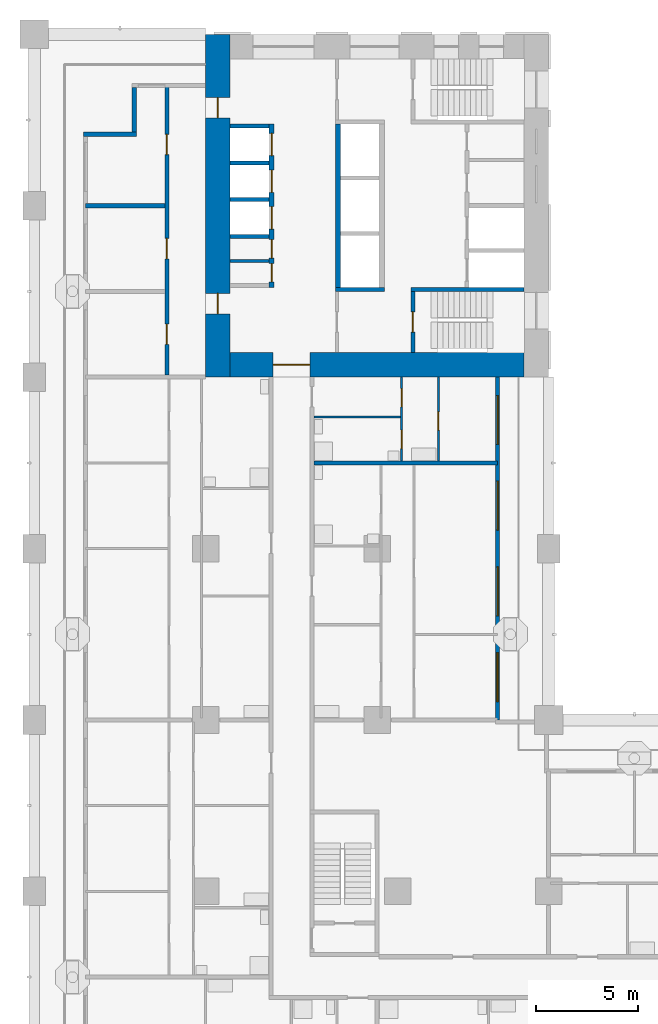
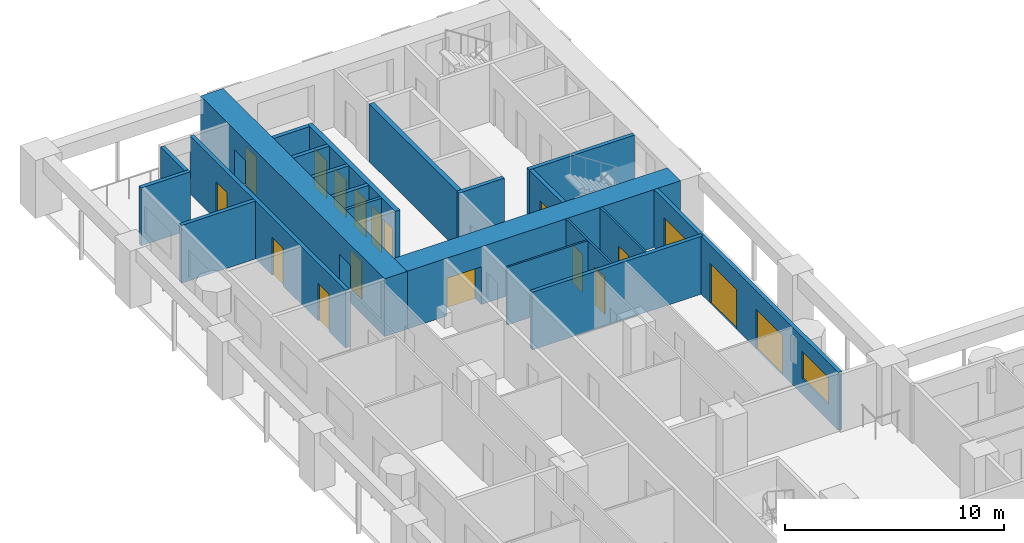
# One storey, part 8 of 20: 21 walls, 18 doors, 1 window, 19 openings.
"""IFC4 building model written with IfcOpenShell, lengths in metres."""

from ifc_helpers import new_model, si_unit, direction, frame, frame_2d, origin, place, context, subcontext, project, spatial, rectangle, extrude, material, layer, layer_set, type_object, element, fill, save


model = new_model("IFC4")

# Units and contexts
model_context = context("Model", 3, precision=1e-05, world=origin(), true_north=direction((0.0, 1.0)))
body_context = subcontext(model_context, "Body", "Model", "MODEL_VIEW")
ifc_project = project(units=[si_unit("LENGTHUNIT", "METRE"), si_unit("AREAUNIT", "SQUARE_METRE"), si_unit("VOLUMEUNIT", "CUBIC_METRE"), si_unit("PLANEANGLEUNIT", "RADIAN"), si_unit("MASSUNIT", "GRAM", prefix="KILO")], contexts=[model_context])

# Site, building, storey
site_placement = place(None, origin())
site = spatial("IfcSite", under=ifc_project, at=site_placement, CompositionType="ELEMENT")
building_placement = place(site_placement, origin())
building = spatial("IfcBuilding", under=site, at=building_placement, Name="Vermilion Gate Residences", CompositionType="ELEMENT")
storey_placement = place(building_placement, frame((0.0, 0.0, 42.699951171875)))
storey = spatial("IfcBuildingStorey", under=building, at=storey_placement, Name="L09", CompositionType="ELEMENT", Elevation=42.699951171875)

# Walls
ifc_material_1 = material(Name="Masonry blockwork", Category="masonry")
ifc_layer_1 = layer(ifc_material_1, 0.14990234375)
ifc_layer_set_1 = layer_set([ifc_layer_1], Name="BLOCKWORK PARTITION 150 EI 120")
wall_type_1 = type_object("IfcWallType", Name="BLOCKWORK PARTITION 150 EI 120", PredefinedType="PARTITIONING", material=ifc_layer_set_1)
wall_1_placement = place(storey_placement, frame((9.60009765625, 47.699951171875, 0.0), z_axis=(0.0, 0.0, 1.0), x_axis=(1.0, 0.0, 0.0)))
element("IfcWall", 1, at=wall_1_placement, inside=storey, type_object=wall_type_1, Name="Core room partition B09-SR-P0", PredefinedType="PARTITIONING", context=body_context, shape_type="SweptSolid", body=[
    extrude(rectangle(XDim=1.89990234375, YDim=0.14990234375, at=frame_2d((0.949951171875, 0.0))), origin(), (0.0, 0.0, 1.0), 3.219970703125),
])
ifc_material_2 = material(Name="Insulated steel stud wall with terracotta rainscreen", Category="masonry")
ifc_layer_2 = layer(ifc_material_2, 0.199951171875)
ifc_layer_set_2 = layer_set([ifc_layer_2], Name="EXTERNAL WALL 200 TERRACOTTA RAINSCREEN")
wall_type_2 = type_object("IfcWallType", Name="EXTERNAL WALL 200 TERRACOTTA RAINSCREEN", PredefinedType="SOLIDWALL", material=ifc_layer_set_2)
wall_2_placement = place(storey_placement, frame((4.89990234375, 56.199951171875, 0.0), z_axis=(0.0, 0.0, 1.0), x_axis=(0.0, -1.0, 0.0)))
element("IfcWall", 2, at=wall_2_placement, inside=storey, type_object=wall_type_2, Name="External wall", PredefinedType="SOLIDWALL", context=body_context, shape_type="SweptSolid", body=[
    extrude(rectangle(XDim=2.199951171875, YDim=0.199951171875, at=frame_2d((1.10009765625, 0.0))), origin(), (0.0, 0.0, 1.0), 3.219970703125),
])
wall_3_placement = place(storey_placement, frame((5.0, 53.89990234375, 0.0), z_axis=(0.0, 0.0, 1.0), x_axis=(-1.0, 0.0, 0.0)))
element("IfcWall", 3, at=wall_3_placement, inside=storey, type_object=wall_type_2, Name="External wall", PredefinedType="SOLIDWALL", context=body_context, shape_type="SweptSolid", body=[
    extrude(rectangle(XDim=2.60009765625, YDim=0.199951171875, at=frame_2d((1.300048828125, 0.0))), origin(), (0.0, 0.0, 1.0), 3.219970703125),
])

# Wall, openings, doors, window
wall_4_placement = place(storey_placement, frame((22.699951171875, 25.199951171875, 0.0), z_axis=(0.0, 0.0, 1.0), x_axis=(0.0, 1.0, 0.0)))
wall_4 = element("IfcWall", 4, at=wall_4_placement, inside=storey, type_object=wall_type_2, Name="External wall", PredefinedType="SOLIDWALL", context=body_context, shape_type="SweptSolid", body=[
    extrude(rectangle(XDim=16.800048828125, YDim=0.199951171875, at=frame_2d((8.39990234375, 0.0))), origin(), (0.0, 0.0, 1.0), 3.219970703125),
])
opening_1_placement = place(wall_4_placement, frame((0.89990234375, 0.0, 0.89990234375)))
opening_1 = element("IfcOpeningElement", 5, at=opening_1_placement, cuts=wall_4, Name="Opening WE09037", PredefinedType="OPENING", context=body_context, shape_type="SweptSolid", body=[
    extrude(rectangle(XDim=2.39990234375, YDim=1.5, at=frame_2d((1.199951171875, 0.75))), frame((0.0, 0.10986328125, 0.0), z_axis=(0.0, -1.0, 0.0), x_axis=(1.0, 0.0, 0.0)), (0.0, 0.0, 1.0), 0.219970703125),
])
opening_2_placement = place(wall_4_placement, frame((5.10009765625, 0.0, 0.0)))
opening_2 = element("IfcOpeningElement", 6, at=opening_2_placement, cuts=wall_4, Name="Opening DE09038", PredefinedType="OPENING", context=body_context, shape_type="SweptSolid", body=[
    extrude(rectangle(XDim=2.39990234375, YDim=2.199951171875, at=frame_2d((1.199951171875, 1.10009765625))), frame((0.0, 0.10986328125, 0.0), z_axis=(0.0, -1.0, 0.0), x_axis=(1.0, 0.0, 0.0)), (0.0, 0.0, 1.0), 0.219970703125),
])
opening_3_placement = place(wall_4_placement, frame((9.300048828125, 0.0, 0.0)))
opening_3 = element("IfcOpeningElement", 7, at=opening_3_placement, cuts=wall_4, Name="Opening DE09039", PredefinedType="OPENING", context=body_context, shape_type="SweptSolid", body=[
    extrude(rectangle(XDim=2.39990234375, YDim=2.199951171875, at=frame_2d((1.199951171875, 1.10009765625))), frame((0.0, 0.10986328125, 0.0), z_axis=(0.0, -1.0, 0.0), x_axis=(1.0, 0.0, 0.0)), (0.0, 0.0, 1.0), 0.219970703125),
])
opening_4_placement = place(wall_4_placement, frame((13.5, 0.0, 0.0)))
opening_4 = element("IfcOpeningElement", 8, at=opening_4_placement, cuts=wall_4, Name="Opening DE09040", PredefinedType="OPENING", context=body_context, shape_type="SweptSolid", body=[
    extrude(rectangle(XDim=2.39990234375, YDim=2.199951171875, at=frame_2d((1.199951171875, 1.10009765625))), frame((0.0, 0.10986328125, 0.0), z_axis=(0.0, -1.0, 0.0), x_axis=(1.0, 0.0, 0.0)), (0.0, 0.0, 1.0), 0.219970703125),
])
ifc_material_3 = material(Name="Aluminium and clear glass", Category="aluminium")
door_type_1 = type_object("IfcDoorType", Name="SLIDING GLAZED DOOR 2400 X 2200", OperationType="DOUBLE_DOOR_SLIDING", PredefinedType="DOOR", material=ifc_material_3)
door_1_placement = place(opening_2_placement, origin())
door_1 = element("IfcDoor", 9, at=door_1_placement, inside=storey, type_object=door_type_1, Name="Loggia sliding door", OperationType="DOUBLE_DOOR_SLIDING", OverallHeight=2.199951171875, OverallWidth=2.39990234375, PredefinedType="DOOR", context=body_context, shape_type="SweptSolid", body=[
    extrude(rectangle(XDim=2.39990234375, YDim=2.199951171875, at=frame_2d((1.199951171875, 1.10009765625))), frame((0.0, 0.02490234375, 0.0), z_axis=(0.0, -1.0, 0.0), x_axis=(1.0, 0.0, 0.0)), (0.0, 0.0, 1.0), 0.050048828125),
])
fill(opening_2, door_1)
door_2_placement = place(opening_3_placement, origin())
door_2 = element("IfcDoor", 10, at=door_2_placement, inside=storey, type_object=door_type_1, Name="Loggia sliding door", OperationType="DOUBLE_DOOR_SLIDING", OverallHeight=2.199951171875, OverallWidth=2.39990234375, PredefinedType="DOOR", context=body_context, shape_type="SweptSolid", body=[
    extrude(rectangle(XDim=2.39990234375, YDim=2.199951171875, at=frame_2d((1.199951171875, 1.10009765625))), frame((0.0, 0.02490234375, 0.0), z_axis=(0.0, -1.0, 0.0), x_axis=(1.0, 0.0, 0.0)), (0.0, 0.0, 1.0), 0.050048828125),
])
fill(opening_3, door_2)
door_3_placement = place(opening_4_placement, origin())
door_3 = element("IfcDoor", 11, at=door_3_placement, inside=storey, type_object=door_type_1, Name="Loggia sliding door", OperationType="DOUBLE_DOOR_SLIDING", OverallHeight=2.199951171875, OverallWidth=2.39990234375, PredefinedType="DOOR", context=body_context, shape_type="SweptSolid", body=[
    extrude(rectangle(XDim=2.39990234375, YDim=2.199951171875, at=frame_2d((1.199951171875, 1.10009765625))), frame((0.0, 0.02490234375, 0.0), z_axis=(0.0, -1.0, 0.0), x_axis=(1.0, 0.0, 0.0)), (0.0, 0.0, 1.0), 0.050048828125),
])
fill(opening_4, door_3)
ifc_material_4 = material(Name="Aluminium and clear glass", Category="aluminium")
window_type = type_object("IfcWindowType", Name="WINDOW 2400 X 1500", PartitioningType="SINGLE_PANEL", PredefinedType="WINDOW", material=ifc_material_4)
window_placement = place(opening_1_placement, origin())
window = element("IfcWindow", 12, at=window_placement, inside=storey, type_object=window_type, Name="Window", OverallHeight=1.5, OverallWidth=2.39990234375, PartitioningType="SINGLE_PANEL", PredefinedType="WINDOW", context=body_context, shape_type="SweptSolid", body=[
    extrude(rectangle(XDim=2.39990234375, YDim=1.5, at=frame_2d((1.199951171875, 0.75))), frame((0.0, 0.030029296875, 0.0), z_axis=(0.0, -1.0, 0.0), x_axis=(1.0, 0.0, 0.0)), (0.0, 0.0, 1.0), 0.06005859375),
])
fill(opening_1, window)

# Wall
ifc_material_5 = material(Name="Plasterboard on steel studs", Category="steel")
ifc_layer_3 = layer(ifc_material_5, 0.10009765625)
ifc_layer_set_3 = layer_set([ifc_layer_3], Name="PARTITION 100")
wall_type_3 = type_object("IfcWallType", Name="PARTITION 100", PredefinedType="PARTITIONING", material=ifc_layer_set_3)
wall_5_placement = place(storey_placement, frame((13.699951171875, 40.0400390625, 0.0), z_axis=(0.0, 0.0, 1.0), x_axis=(1.0, 0.0, 0.0)))
element("IfcWall", 13, at=wall_5_placement, inside=storey, type_object=wall_type_3, Name="Partition", PredefinedType="PARTITIONING", context=body_context, shape_type="SweptSolid", body=[
    extrude(rectangle(XDim=4.25, YDim=0.10009765625, at=frame_2d((2.125, 0.0))), origin(), (0.0, 0.0, 1.0), 3.219970703125),
])

# Wall, openings, doors
wall_6_placement = place(storey_placement, frame((18.0, 37.89990234375, 0.0), z_axis=(0.0, 0.0, 1.0), x_axis=(0.0, 1.0, 0.0)))
wall_6 = element("IfcWall", 14, at=wall_6_placement, inside=storey, type_object=wall_type_3, Name="Partition", PredefinedType="PARTITIONING", context=body_context, shape_type="SweptSolid", body=[
    extrude(rectangle(XDim=4.10009765625, YDim=0.10009765625, at=frame_2d((2.050048828125, 0.0))), origin(), (0.0, 0.0, 1.0), 3.219970703125),
])
opening_5_placement = place(wall_6_placement, frame((2.639892578125, 0.0, 0.0)))
opening_5 = element("IfcOpeningElement", 15, at=opening_5_placement, cuts=wall_6, Name="Opening DA07060", PredefinedType="OPENING", context=body_context, shape_type="SweptSolid", body=[
    extrude(rectangle(XDim=0.89990234375, YDim=2.10009765625, at=frame_2d((0.449951171875, 1.050048828125))), frame((0.0, 0.06005859375, 0.0), z_axis=(0.0, -1.0, 0.0), x_axis=(1.0, 0.0, 0.0)), (0.0, 0.0, 1.0), 0.1201171875),
])
opening_6_placement = place(wall_6_placement, frame((0.60009765625, 0.0, 0.0)))
opening_6 = element("IfcOpeningElement", 16, at=opening_6_placement, cuts=wall_6, Name="Opening DA07061", PredefinedType="OPENING", context=body_context, shape_type="SweptSolid", body=[
    extrude(rectangle(XDim=0.89990234375, YDim=2.10009765625, at=frame_2d((0.449951171875, 1.050048828125))), frame((0.0, 0.06005859375, 0.0), z_axis=(0.0, -1.0, 0.0), x_axis=(1.0, 0.0, 0.0)), (0.0, 0.0, 1.0), 0.1201171875),
])
ifc_material_6 = material(Name="Timber", Category="wood")
door_type_2 = type_object("IfcDoorType", Name="INTERIOR DOOR 900 X 2100", OperationType="SINGLE_SWING_LEFT", PredefinedType="DOOR", material=ifc_material_6)
door_4_placement = place(opening_5_placement, frame((0.89990234375, 0.0, 0.0), z_axis=(0.0, 0.0, 1.0), x_axis=(-1.0, 0.0, 0.0)))
door_4 = element("IfcDoor", 17, at=door_4_placement, inside=storey, type_object=door_type_2, Name="Interior door", OperationType="SINGLE_SWING_LEFT", OverallHeight=2.10009765625, OverallWidth=0.89990234375, PredefinedType="DOOR", context=body_context, shape_type="SweptSolid", body=[
    extrude(rectangle(XDim=0.89990234375, YDim=2.10009765625, at=frame_2d((0.449951171875, 1.050048828125))), frame((0.0, 0.02490234375, 0.0), z_axis=(0.0, -1.0, 0.0), x_axis=(1.0, 0.0, 0.0)), (0.0, 0.0, 1.0), 0.050048828125),
])
fill(opening_5, door_4)
door_5_placement = place(opening_6_placement, frame((0.89990234375, 0.0, 0.0), z_axis=(0.0, 0.0, 1.0), x_axis=(-1.0, 0.0, 0.0)))
door_5 = element("IfcDoor", 18, at=door_5_placement, inside=storey, type_object=door_type_2, Name="Interior door", OperationType="SINGLE_SWING_RIGHT", OverallHeight=2.10009765625, OverallWidth=0.89990234375, PredefinedType="DOOR", context=body_context, shape_type="SweptSolid", body=[
    extrude(rectangle(XDim=0.89990234375, YDim=2.10009765625, at=frame_2d((0.449951171875, 1.050048828125))), frame((0.0, 0.02490234375, 0.0), z_axis=(0.0, -1.0, 0.0), x_axis=(1.0, 0.0, 0.0)), (0.0, 0.0, 1.0), 0.050048828125),
])
fill(opening_6, door_5)

# Wall, opening, door
wall_7_placement = place(storey_placement, frame((19.800048828125, 37.89990234375, 0.0), z_axis=(0.0, 0.0, 1.0), x_axis=(0.0, 1.0, 0.0)))
wall_7 = element("IfcWall", 19, at=wall_7_placement, inside=storey, type_object=wall_type_3, Name="Partition", PredefinedType="PARTITIONING", context=body_context, shape_type="SweptSolid", body=[
    extrude(rectangle(XDim=4.10009765625, YDim=0.10009765625, at=frame_2d((2.050048828125, 0.0))), origin(), (0.0, 0.0, 1.0), 3.219970703125),
])
opening_7_placement = place(wall_7_placement, frame((1.5, 0.0, 0.0)))
opening_7 = element("IfcOpeningElement", 20, at=opening_7_placement, cuts=wall_7, Name="Opening DA07064", PredefinedType="OPENING", context=body_context, shape_type="SweptSolid", body=[
    extrude(rectangle(XDim=0.89990234375, YDim=2.10009765625, at=frame_2d((0.449951171875, 1.050048828125))), frame((0.0, 0.06005859375, 0.0), z_axis=(0.0, -1.0, 0.0), x_axis=(1.0, 0.0, 0.0)), (0.0, 0.0, 1.0), 0.1201171875),
])
door_6_placement = place(opening_7_placement, origin())
door_6 = element("IfcDoor", 21, at=door_6_placement, inside=storey, type_object=door_type_2, Name="Interior door", OperationType="SINGLE_SWING_LEFT", OverallHeight=2.10009765625, OverallWidth=0.89990234375, PredefinedType="DOOR", context=body_context, shape_type="SweptSolid", body=[
    extrude(rectangle(XDim=0.89990234375, YDim=2.10009765625, at=frame_2d((0.449951171875, 1.050048828125))), frame((0.0, 0.02490234375, 0.0), z_axis=(0.0, -1.0, 0.0), x_axis=(1.0, 0.0, 0.0)), (0.0, 0.0, 1.0), 0.050048828125),
])
fill(opening_7, door_6)

# Walls
ifc_material_7 = material(Name="Fire-rated plasterboard on steel studs", Category="steel")
ifc_layer_4 = layer(ifc_material_7, 0.199951171875)
ifc_layer_set_4 = layer_set([ifc_layer_4], Name="PARTY WALL 200 EI 120")
wall_type_4 = type_object("IfcWallType", Name="PARTY WALL 200 EI 120", PredefinedType="PARTITIONING", material=ifc_layer_set_4)
wall_8_placement = place(storey_placement, frame((13.699951171875, 37.800048828125, 0.0), z_axis=(0.0, 0.0, 1.0), x_axis=(1.0, 0.0, 0.0)))
element("IfcWall", 22, at=wall_8_placement, inside=storey, type_object=wall_type_4, Name="Party and corridor wall", PredefinedType="PARTITIONING", context=body_context, shape_type="SweptSolid", body=[
    extrude(rectangle(XDim=9.0, YDim=0.199951171875, at=frame_2d((4.5, 0.0))), origin(), (0.0, 0.0, 1.0), 3.219970703125),
])
wall_9_placement = place(storey_placement, frame((2.5, 50.39990234375, 0.0), z_axis=(0.0, 0.0, 1.0), x_axis=(1.0, 0.0, 0.0)))
element("IfcWall", 23, at=wall_9_placement, inside=storey, type_object=wall_type_4, Name="Party and corridor wall", PredefinedType="PARTITIONING", context=body_context, shape_type="SweptSolid", body=[
    extrude(rectangle(XDim=3.89990234375, YDim=0.199951171875, at=frame_2d((1.949951171875, 0.0))), origin(), (0.0, 0.0, 1.0), 3.219970703125),
])

# Wall, openings, doors
wall_10_placement = place(storey_placement, frame((6.5, 42.10009765625, 0.0), z_axis=(0.0, 0.0, 1.0), x_axis=(0.0, 1.0, 0.0)))
wall_10 = element("IfcWall", 24, at=wall_10_placement, inside=storey, type_object=wall_type_4, Name="Party and corridor wall", PredefinedType="PARTITIONING", context=body_context, shape_type="SweptSolid", body=[
    extrude(rectangle(XDim=14.199951171875, YDim=0.199951171875, at=frame_2d((7.10009765625, 0.0))), origin(), (0.0, 0.0, 1.0), 3.219970703125),
])
opening_8_placement = place(wall_10_placement, frame((1.5, 0.0, 0.0)))
opening_8 = element("IfcOpeningElement", 25, at=opening_8_placement, cuts=wall_10, Name="Opening DA07036", PredefinedType="OPENING", context=body_context, shape_type="SweptSolid", body=[
    extrude(rectangle(XDim=1.0, YDim=2.10009765625, at=frame_2d((0.5, 1.050048828125))), frame((0.0, 0.10986328125, 0.0), z_axis=(0.0, -1.0, 0.0), x_axis=(1.0, 0.0, 0.0)), (0.0, 0.0, 1.0), 0.219970703125),
])
opening_9_placement = place(wall_10_placement, frame((5.699951171875, 0.0, 0.0)))
opening_9 = element("IfcOpeningElement", 26, at=opening_9_placement, cuts=wall_10, Name="Opening DA07037", PredefinedType="OPENING", context=body_context, shape_type="SweptSolid", body=[
    extrude(rectangle(XDim=1.0, YDim=2.10009765625, at=frame_2d((0.5, 1.050048828125))), frame((0.0, 0.10986328125, 0.0), z_axis=(0.0, -1.0, 0.0), x_axis=(1.0, 0.0, 0.0)), (0.0, 0.0, 1.0), 0.219970703125),
])
opening_10_placement = place(wall_10_placement, frame((10.800048828125, 0.0, 0.0)))
opening_10 = element("IfcOpeningElement", 27, at=opening_10_placement, cuts=wall_10, Name="Opening DA07038", PredefinedType="OPENING", context=body_context, shape_type="SweptSolid", body=[
    extrude(rectangle(XDim=1.0, YDim=2.10009765625, at=frame_2d((0.5, 1.050048828125))), frame((0.0, 0.10986328125, 0.0), z_axis=(0.0, -1.0, 0.0), x_axis=(1.0, 0.0, 0.0)), (0.0, 0.0, 1.0), 0.219970703125),
])
ifc_material_8 = material(Name="Steel", Category="steel")
door_type_3 = type_object("IfcDoorType", Name="ENTRANCE DOOR 1000 X 2100 FD30", OperationType="SINGLE_SWING_LEFT", PredefinedType="DOOR", material=ifc_material_8)
door_7_placement = place(opening_8_placement, origin())
door_7 = element("IfcDoor", 28, at=door_7_placement, inside=storey, type_object=door_type_3, Name="Entrance door", OperationType="SINGLE_SWING_LEFT", OverallHeight=2.10009765625, OverallWidth=1.0, PredefinedType="DOOR", context=body_context, shape_type="SweptSolid", body=[
    extrude(rectangle(XDim=1.0, YDim=2.10009765625, at=frame_2d((0.5, 1.050048828125))), frame((0.0, 0.02490234375, 0.0), z_axis=(0.0, -1.0, 0.0), x_axis=(1.0, 0.0, 0.0)), (0.0, 0.0, 1.0), 0.050048828125),
])
fill(opening_8, door_7)
door_8_placement = place(opening_9_placement, origin())
door_8 = element("IfcDoor", 29, at=door_8_placement, inside=storey, type_object=door_type_3, Name="Entrance door", OperationType="SINGLE_SWING_RIGHT", OverallHeight=2.10009765625, OverallWidth=1.0, PredefinedType="DOOR", context=body_context, shape_type="SweptSolid", body=[
    extrude(rectangle(XDim=1.0, YDim=2.10009765625, at=frame_2d((0.5, 1.050048828125))), frame((0.0, 0.02490234375, 0.0), z_axis=(0.0, -1.0, 0.0), x_axis=(1.0, 0.0, 0.0)), (0.0, 0.0, 1.0), 0.050048828125),
])
fill(opening_9, door_8)
door_9_placement = place(opening_10_placement, origin())
door_9 = element("IfcDoor", 30, at=door_9_placement, inside=storey, type_object=door_type_3, Name="Entrance door", OperationType="SINGLE_SWING_RIGHT", OverallHeight=2.10009765625, OverallWidth=1.0, PredefinedType="DOOR", context=body_context, shape_type="SweptSolid", body=[
    extrude(rectangle(XDim=1.0, YDim=2.10009765625, at=frame_2d((0.5, 1.050048828125))), frame((0.0, 0.02490234375, 0.0), z_axis=(0.0, -1.0, 0.0), x_axis=(1.0, 0.0, 0.0)), (0.0, 0.0, 1.0), 0.050048828125),
])
fill(opening_10, door_9)

# Walls
ifc_material_9 = material(Name="Concrete C60", Category="concrete")
ifc_layer_5 = layer(ifc_material_9, 0.199951171875)
ifc_layer_set_5 = layer_set([ifc_layer_5], Name="RC CORE INTERNAL WALL 200 C60")
wall_type_5 = type_object("IfcWallType", Name="RC CORE INTERNAL WALL 200 C60", PredefinedType="SHEAR", material=ifc_layer_set_5)
for number, where, z_axis, x_axis, name in (
    (31, (9.60009765625, 54.300048828125, 0.0), (0.0, 0.0, 1.0), (1.0, 0.0, 0.0), "Core internal wall B09-LR-D0"),
    (32, (9.60009765625, 52.5, 0.0), (0.0, 0.0, 1.0), (1.0, 0.0, 0.0), "Core internal wall B09-LR-D1"),
    (33, (9.60009765625, 50.699951171875, 0.0), (0.0, 0.0, 1.0), (1.0, 0.0, 0.0), "Core internal wall B09-LR-D2"),
    (34, (9.60009765625, 48.89990234375, 0.0), (0.0, 0.0, 1.0), (1.0, 0.0, 0.0), "Core internal wall B09-LR-D3"),
):
    element("IfcWall", number, at=place(storey_placement, frame(where, z_axis=z_axis, x_axis=x_axis)), inside=storey, type_object=wall_type_5, Name=name, PredefinedType="SHEAR", context=body_context, shape_type="SweptSolid", body=[
        extrude(rectangle(XDim=1.89990234375, YDim=0.199951171875, at=frame_2d((0.949951171875, 0.0))), origin(), (0.0, 0.0, 1.0), 3.219970703125),
    ])
wall_11_placement = place(storey_placement, frame((14.75, 46.300048828125, 0.0), z_axis=(0.0, 0.0, 1.0), x_axis=(1.0, 0.0, 0.0)))
element("IfcWall", 35, at=wall_11_placement, inside=storey, type_object=wall_type_5, Name="Core internal wall B09-EDIV1", PredefinedType="SHEAR", context=body_context, shape_type="SweptSolid", body=[
    extrude(rectangle(XDim=2.39990234375, YDim=0.199951171875, at=frame_2d((1.199951171875, 0.0))), origin(), (0.0, 0.0, 1.0), 3.219970703125),
])
wall_12_placement = place(storey_placement, frame((18.449951171875, 46.300048828125, 0.0), z_axis=(0.0, 0.0, 1.0), x_axis=(1.0, 0.0, 0.0)))
element("IfcWall", 36, at=wall_12_placement, inside=storey, type_object=wall_type_5, Name="Core internal wall B09-EDIV2", PredefinedType="SHEAR", context=body_context, shape_type="SweptSolid", body=[
    extrude(rectangle(XDim=5.550048828125, YDim=0.199951171875, at=frame_2d((2.77490234375, 0.0))), origin(), (0.0, 0.0, 1.0), 3.219970703125),
])

# Wall, opening, door
wall_13_placement = place(storey_placement, frame((18.550048828125, 46.199951171875, 0.0), z_axis=(0.0, 0.0, 1.0), x_axis=(0.0, -1.0, 0.0)))
wall_13 = element("IfcWall", 37, at=wall_13_placement, inside=storey, type_object=wall_type_5, Name="Core internal wall B09-STE-S", PredefinedType="SHEAR", context=body_context, shape_type="SweptSolid", body=[
    extrude(rectangle(XDim=3.0, YDim=0.199951171875, at=frame_2d((1.5, 0.0))), origin(), (0.0, 0.0, 1.0), 3.219970703125),
])
opening_11_placement = place(wall_13_placement, frame((1.0, 0.0, 0.0)))
opening_11 = element("IfcOpeningElement", 38, at=opening_11_placement, cuts=wall_13, Name="Opening DK09116", PredefinedType="OPENING", context=body_context, shape_type="SweptSolid", body=[
    extrude(rectangle(XDim=1.0, YDim=2.10009765625, at=frame_2d((0.5, 1.050048828125))), frame((0.0, 0.10986328125, 0.0), z_axis=(0.0, -1.0, 0.0), x_axis=(1.0, 0.0, 0.0)), (0.0, 0.0, 1.0), 0.219970703125),
])
ifc_material_10 = material(Name="Steel", Category="steel")
door_type_4 = type_object("IfcDoorType", Name="FIRE DOOR FD60 1000 X 2100", OperationType="SINGLE_SWING_LEFT", PredefinedType="DOOR", material=ifc_material_10)
door_10_placement = place(opening_11_placement, origin())
door_10 = element("IfcDoor", 39, at=door_10_placement, inside=storey, type_object=door_type_4, Name="Stair door B09", OperationType="SINGLE_SWING_LEFT", OverallHeight=2.10009765625, OverallWidth=1.0, PredefinedType="DOOR", context=body_context, shape_type="SweptSolid", body=[
    extrude(rectangle(XDim=1.0, YDim=2.10009765625, at=frame_2d((0.5, 1.050048828125))), frame((0.0, 0.02490234375, 0.0), z_axis=(0.0, -1.0, 0.0), x_axis=(1.0, 0.0, 0.0)), (0.0, 0.0, 1.0), 0.050048828125),
])
fill(opening_11, door_10)

# Wall, openings, doors
ifc_material_11 = material(Name="Concrete C80", Category="concrete")
ifc_layer_6 = layer(ifc_material_11, 1.199951171875)
ifc_layer_set_6 = layer_set([ifc_layer_6], Name="RC CORE WALL 1200 C80")
wall_type_6 = type_object("IfcWallType", Name="RC CORE WALL 1200 C80", PredefinedType="SHEAR", material=ifc_layer_set_6)
wall_14_placement = place(storey_placement, frame((9.0, 58.800048828125, 0.0), z_axis=(0.0, 0.0, 1.0), x_axis=(0.0, -1.0, 0.0)))
wall_14 = element("IfcWall", 40, at=wall_14_placement, inside=storey, type_object=wall_type_6, Name="Core wall B09-OUT-B0", PredefinedType="SHEAR", context=body_context, shape_type="SweptSolid", body=[
    extrude(rectangle(XDim=16.800048828125, YDim=1.199951171875, at=frame_2d((8.39990234375, 0.0))), origin(), (0.0, 0.0, 1.0), 3.219970703125),
])
opening_12_placement = place(wall_14_placement, frame((3.10009765625, 0.0, 0.0)))
opening_12 = element("IfcOpeningElement", 41, at=opening_12_placement, cuts=wall_14, Name="Opening DK09101", PredefinedType="OPENING", context=body_context, shape_type="SweptSolid", body=[
    extrude(rectangle(XDim=1.0, YDim=2.10009765625, at=frame_2d((0.5, 1.050048828125))), frame((0.0, 0.60986328125, 0.0), z_axis=(0.0, -1.0, 0.0), x_axis=(1.0, 0.0, 0.0)), (0.0, 0.0, 1.0), 1.219970703125),
])
opening_13_placement = place(wall_14_placement, frame((12.699951171875, 0.0, 0.0)))
opening_13 = element("IfcOpeningElement", 42, at=opening_13_placement, cuts=wall_14, Name="Opening DK09102", PredefinedType="OPENING", context=body_context, shape_type="SweptSolid", body=[
    extrude(rectangle(XDim=1.0, YDim=2.10009765625, at=frame_2d((0.5, 1.050048828125))), frame((0.0, 0.60986328125, 0.0), z_axis=(0.0, -1.0, 0.0), x_axis=(1.0, 0.0, 0.0)), (0.0, 0.0, 1.0), 1.219970703125),
])
door_11_placement = place(opening_12_placement, origin())
door_11 = element("IfcDoor", 43, at=door_11_placement, inside=storey, type_object=door_type_4, Name="Core lobby side door B09", OperationType="SINGLE_SWING_RIGHT", OverallHeight=2.10009765625, OverallWidth=1.0, PredefinedType="DOOR", context=body_context, shape_type="SweptSolid", body=[
    extrude(rectangle(XDim=1.0, YDim=2.10009765625, at=frame_2d((0.5, 1.050048828125))), frame((0.0, 0.02490234375, 0.0), z_axis=(0.0, -1.0, 0.0), x_axis=(1.0, 0.0, 0.0)), (0.0, 0.0, 1.0), 0.050048828125),
])
fill(opening_12, door_11)
door_12_placement = place(opening_13_placement, origin())
door_12 = element("IfcDoor", 44, at=door_12_placement, inside=storey, type_object=door_type_4, Name="Core lobby side door B09", OperationType="SINGLE_SWING_LEFT", OverallHeight=2.10009765625, OverallWidth=1.0, PredefinedType="DOOR", context=body_context, shape_type="SweptSolid", body=[
    extrude(rectangle(XDim=1.0, YDim=2.10009765625, at=frame_2d((0.5, 1.050048828125))), frame((0.0, 0.02490234375, 0.0), z_axis=(0.0, -1.0, 0.0), x_axis=(1.0, 0.0, 0.0)), (0.0, 0.0, 1.0), 0.050048828125),
])
fill(opening_13, door_12)

# Wall, opening, door
wall_15_placement = place(storey_placement, frame((9.60009765625, 42.60009765625, 0.0), z_axis=(0.0, 0.0, 1.0), x_axis=(1.0, 0.0, 0.0)))
wall_15 = element("IfcWall", 45, at=wall_15_placement, inside=storey, type_object=wall_type_6, Name="Core wall B09-OUT-BK", PredefinedType="SHEAR", context=body_context, shape_type="SweptSolid", body=[
    extrude(rectangle(XDim=14.39990234375, YDim=1.199951171875, at=frame_2d((7.199951171875, 0.0))), origin(), (0.0, 0.0, 1.0), 3.219970703125),
])
opening_14_placement = place(wall_15_placement, frame((2.10009765625, 0.0, 0.0)))
opening_14 = element("IfcOpeningElement", 46, at=opening_14_placement, cuts=wall_15, Name="Opening DK09103", PredefinedType="OPENING", context=body_context, shape_type="SweptSolid", body=[
    extrude(rectangle(XDim=1.800048828125, YDim=2.10009765625, at=frame_2d((0.89990234375, 1.050048828125))), frame((0.0, 0.60986328125, 0.0), z_axis=(0.0, -1.0, 0.0), x_axis=(1.0, 0.0, 0.0)), (0.0, 0.0, 1.0), 1.219970703125),
])
ifc_material_12 = material(Name="Steel", Category="steel")
door_type_5 = type_object("IfcDoorType", Name="CORE LOBBY DOOR FD60 1800 X 2100", OperationType="DOUBLE_DOOR_SINGLE_SWING", PredefinedType="DOOR", material=ifc_material_12)
door_13_placement = place(opening_14_placement, origin())
door_13 = element("IfcDoor", 47, at=door_13_placement, inside=storey, type_object=door_type_5, Name="Core lobby door B09", OperationType="DOUBLE_DOOR_SINGLE_SWING", OverallHeight=2.10009765625, OverallWidth=1.800048828125, PredefinedType="DOOR", context=body_context, shape_type="SweptSolid", body=[
    extrude(rectangle(XDim=1.800048828125, YDim=2.10009765625, at=frame_2d((0.89990234375, 1.050048828125))), frame((0.0, 0.02490234375, 0.0), z_axis=(0.0, -1.0, 0.0), x_axis=(1.0, 0.0, 0.0)), (0.0, 0.0, 1.0), 0.050048828125),
])
fill(opening_14, door_13)

# Wall, openings, doors
ifc_material_13 = material(Name="Concrete C60", Category="concrete")
ifc_layer_7 = layer(ifc_material_13, 0.25)
ifc_layer_set_7 = layer_set([ifc_layer_7], Name="RC LIFT SHAFT WALL 250 C60")
wall_type_7 = type_object("IfcWallType", Name="RC LIFT SHAFT WALL 250 C60", PredefinedType="SHEAR", material=ifc_layer_set_7)
wall_16_placement = place(storey_placement, frame((11.625, 54.39990234375, 0.0), z_axis=(0.0, 0.0, 1.0), x_axis=(0.0, -1.0, 0.0)))
wall_16 = element("IfcWall", 48, at=wall_16_placement, inside=storey, type_object=wall_type_7, Name="Lift shaft wall B09-LR-F", PredefinedType="SHEAR", context=body_context, shape_type="SweptSolid", body=[
    extrude(rectangle(XDim=8.0, YDim=0.25, at=frame_2d((4.0, 0.0))), origin(), (0.0, 0.0, 1.0), 3.219970703125),
])
opening_15_placement = place(wall_16_placement, frame((0.449951171875, 0.0, 0.0)))
opening_15 = element("IfcOpeningElement", 49, at=opening_15_placement, cuts=wall_16, Name="Opening LD", PredefinedType="OPENING", context=body_context, shape_type="SweptSolid", body=[
    extrude(rectangle(XDim=1.10009765625, YDim=2.10009765625, at=frame_2d((0.550048828125, 1.050048828125))), frame((0.0, 0.135009765625, 0.0), z_axis=(0.0, -1.0, 0.0), x_axis=(1.0, 0.0, 0.0)), (0.0, 0.0, 1.0), 0.27001953125),
])
opening_16_placement = place(wall_16_placement, frame((2.25, 0.0, 0.0)))
opening_16 = element("IfcOpeningElement", 50, at=opening_16_placement, cuts=wall_16, Name="Opening LD", PredefinedType="OPENING", context=body_context, shape_type="SweptSolid", body=[
    extrude(rectangle(XDim=1.10009765625, YDim=2.10009765625, at=frame_2d((0.550048828125, 1.050048828125))), frame((0.0, 0.135009765625, 0.0), z_axis=(0.0, -1.0, 0.0), x_axis=(1.0, 0.0, 0.0)), (0.0, 0.0, 1.0), 0.27001953125),
])
opening_17_placement = place(wall_16_placement, frame((4.050048828125, 0.0, 0.0)))
opening_17 = element("IfcOpeningElement", 51, at=opening_17_placement, cuts=wall_16, Name="Opening LD", PredefinedType="OPENING", context=body_context, shape_type="SweptSolid", body=[
    extrude(rectangle(XDim=1.10009765625, YDim=2.10009765625, at=frame_2d((0.550048828125, 1.050048828125))), frame((0.0, 0.135009765625, 0.0), z_axis=(0.0, -1.0, 0.0), x_axis=(1.0, 0.0, 0.0)), (0.0, 0.0, 1.0), 0.27001953125),
])
opening_18_placement = place(wall_16_placement, frame((5.66259765625, 0.0, 0.0)))
opening_18 = element("IfcOpeningElement", 52, at=opening_18_placement, cuts=wall_16, Name="Opening DK09107", PredefinedType="OPENING", context=body_context, shape_type="SweptSolid", body=[
    extrude(rectangle(XDim=0.89990234375, YDim=2.10009765625, at=frame_2d((0.449951171875, 1.050048828125))), frame((0.0, 0.135009765625, 0.0), z_axis=(0.0, -1.0, 0.0), x_axis=(1.0, 0.0, 0.0)), (0.0, 0.0, 1.0), 0.27001953125),
])
opening_19_placement = place(wall_16_placement, frame((6.83740234375, 0.0, 0.0)))
opening_19 = element("IfcOpeningElement", 53, at=opening_19_placement, cuts=wall_16, Name="Opening DK09108", PredefinedType="OPENING", context=body_context, shape_type="SweptSolid", body=[
    extrude(rectangle(XDim=0.89990234375, YDim=2.10009765625, at=frame_2d((0.449951171875, 1.050048828125))), frame((0.0, 0.135009765625, 0.0), z_axis=(0.0, -1.0, 0.0), x_axis=(1.0, 0.0, 0.0)), (0.0, 0.0, 1.0), 0.27001953125),
])
ifc_material_14 = material(Name="Stainless steel", Category="steel")
door_type_6 = type_object("IfcDoorType", Name="LIFT LANDING DOOR E60 1100 X 2100", OperationType="DOUBLE_DOOR_SLIDING", PredefinedType="DOOR", material=ifc_material_14)
door_14_placement = place(opening_15_placement, origin())
door_14 = element("IfcDoor", 54, at=door_14_placement, inside=storey, type_object=door_type_6, Name="Lift landing door LRB1", OperationType="DOUBLE_DOOR_SLIDING", OverallHeight=2.10009765625, OverallWidth=1.10009765625, PredefinedType="DOOR", context=body_context, shape_type="SweptSolid", body=[
    extrude(rectangle(XDim=1.10009765625, YDim=2.10009765625, at=frame_2d((0.550048828125, 1.050048828125))), frame((0.0, 0.02490234375, 0.0), z_axis=(0.0, -1.0, 0.0), x_axis=(1.0, 0.0, 0.0)), (0.0, 0.0, 1.0), 0.050048828125),
])
fill(opening_15, door_14)
door_15_placement = place(opening_16_placement, origin())
door_15 = element("IfcDoor", 55, at=door_15_placement, inside=storey, type_object=door_type_6, Name="Lift landing door LRB2", OperationType="DOUBLE_DOOR_SLIDING", OverallHeight=2.10009765625, OverallWidth=1.10009765625, PredefinedType="DOOR", context=body_context, shape_type="SweptSolid", body=[
    extrude(rectangle(XDim=1.10009765625, YDim=2.10009765625, at=frame_2d((0.550048828125, 1.050048828125))), frame((0.0, 0.02490234375, 0.0), z_axis=(0.0, -1.0, 0.0), x_axis=(1.0, 0.0, 0.0)), (0.0, 0.0, 1.0), 0.050048828125),
])
fill(opening_16, door_15)
door_16_placement = place(opening_17_placement, origin())
door_16 = element("IfcDoor", 56, at=door_16_placement, inside=storey, type_object=door_type_6, Name="Lift landing door LRB3", OperationType="DOUBLE_DOOR_SLIDING", OverallHeight=2.10009765625, OverallWidth=1.10009765625, PredefinedType="DOOR", context=body_context, shape_type="SweptSolid", body=[
    extrude(rectangle(XDim=1.10009765625, YDim=2.10009765625, at=frame_2d((0.550048828125, 1.050048828125))), frame((0.0, 0.02490234375, 0.0), z_axis=(0.0, -1.0, 0.0), x_axis=(1.0, 0.0, 0.0)), (0.0, 0.0, 1.0), 0.050048828125),
])
fill(opening_17, door_16)
ifc_material_15 = material(Name="Steel", Category="steel")
door_type_7 = type_object("IfcDoorType", Name="SERVICE ROOM DOOR FD60 900 X 2100", OperationType="SINGLE_SWING_LEFT", PredefinedType="DOOR", material=ifc_material_15)
door_17_placement = place(opening_18_placement, frame((0.89990234375, 0.0, 0.0), z_axis=(0.0, 0.0, 1.0), x_axis=(-1.0, 0.0, 0.0)))
door_17 = element("IfcDoor", 57, at=door_17_placement, inside=storey, type_object=door_type_7, Name="Refuse room B09", OperationType="SINGLE_SWING_LEFT", OverallHeight=2.10009765625, OverallWidth=0.89990234375, PredefinedType="DOOR", context=body_context, shape_type="SweptSolid", body=[
    extrude(rectangle(XDim=0.89990234375, YDim=2.10009765625, at=frame_2d((0.449951171875, 1.050048828125))), frame((0.0, 0.02490234375, 0.0), z_axis=(0.0, -1.0, 0.0), x_axis=(1.0, 0.0, 0.0)), (0.0, 0.0, 1.0), 0.050048828125),
])
fill(opening_18, door_17)
door_18_placement = place(opening_19_placement, frame((0.89990234375, 0.0, 0.0), z_axis=(0.0, 0.0, 1.0), x_axis=(-1.0, 0.0, 0.0)))
door_18 = element("IfcDoor", 58, at=door_18_placement, inside=storey, type_object=door_type_7, Name="Parcel room B09", OperationType="SINGLE_SWING_LEFT", OverallHeight=2.10009765625, OverallWidth=0.89990234375, PredefinedType="DOOR", context=body_context, shape_type="SweptSolid", body=[
    extrude(rectangle(XDim=0.89990234375, YDim=2.10009765625, at=frame_2d((0.449951171875, 1.050048828125))), frame((0.0, 0.02490234375, 0.0), z_axis=(0.0, -1.0, 0.0), x_axis=(1.0, 0.0, 0.0)), (0.0, 0.0, 1.0), 0.050048828125),
])
fill(opening_19, door_18)

# Wall
wall_17_placement = place(storey_placement, frame((14.875, 54.39990234375, 0.0), z_axis=(0.0, 0.0, 1.0), x_axis=(0.0, -1.0, 0.0)))
element("IfcWall", 59, at=wall_17_placement, inside=storey, type_object=wall_type_7, Name="Lift shaft wall B09-HR-F", PredefinedType="SHEAR", context=body_context, shape_type="SweptSolid", body=[
    extrude(rectangle(XDim=8.0, YDim=0.25, at=frame_2d((4.0, 0.0))), origin(), (0.0, 0.0, 1.0), 3.219970703125),
])

save(model, "model.ifc")
